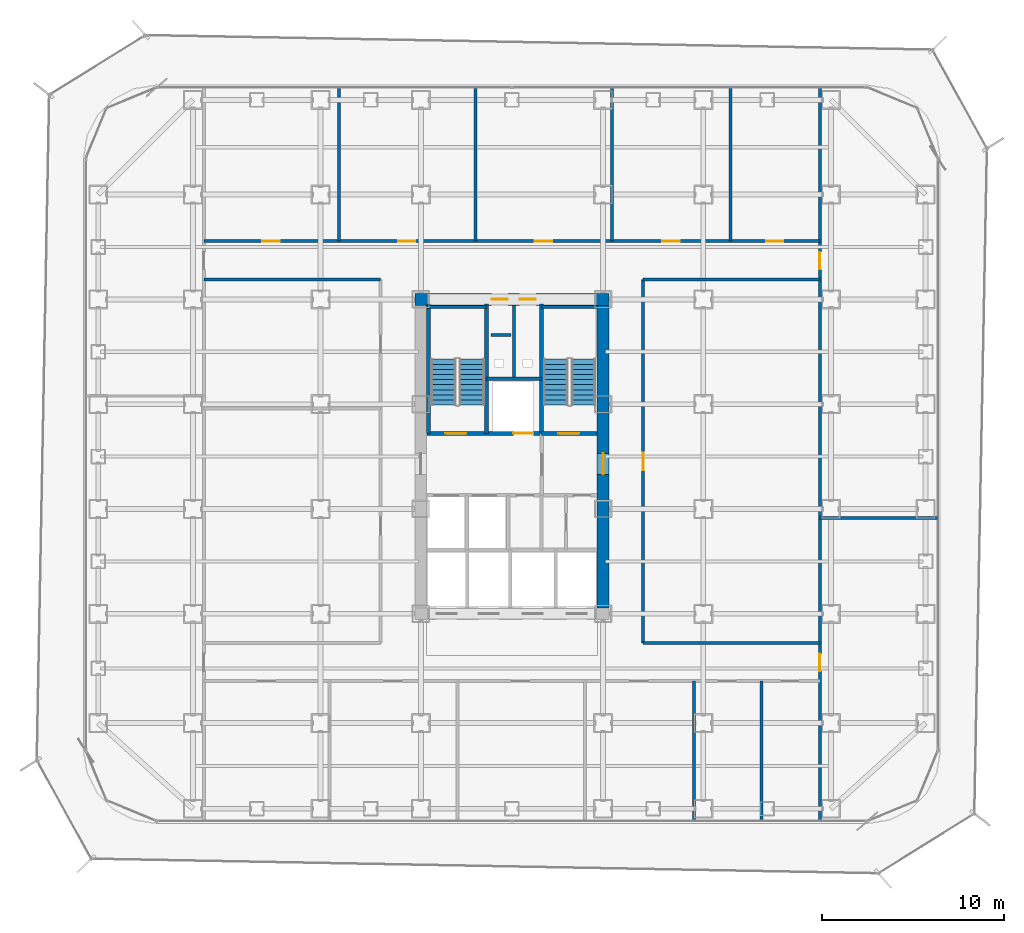
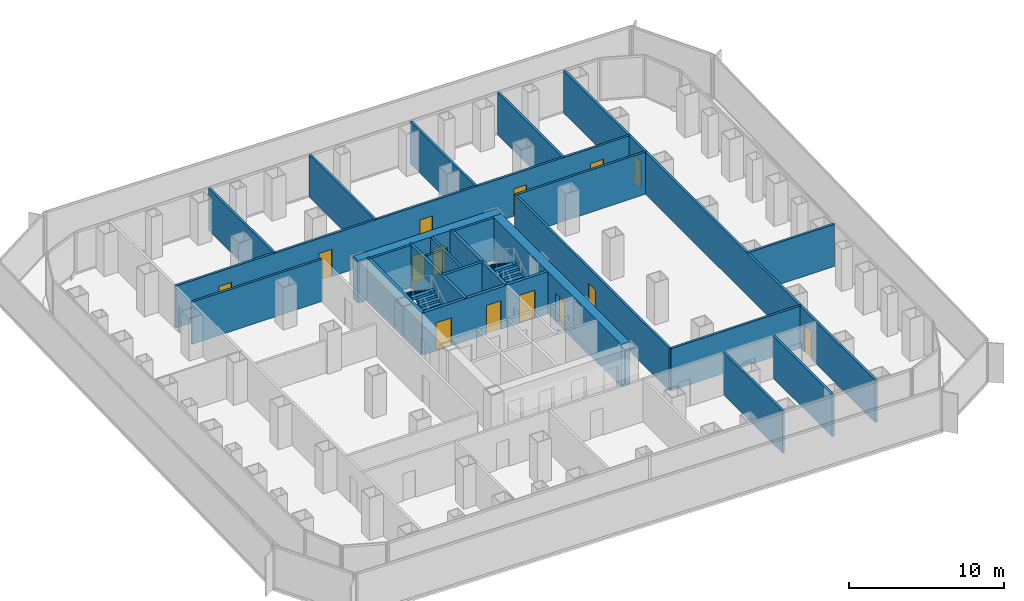
# One storey, part 18 of 22: 25 walls, 14 doors, 4 stair flights, 14 openings, 2 elements without a shape of their own.
"""IFC4 building model written with IfcOpenShell, lengths in metres."""

from ifc_helpers import new_model, si_unit, direction, frame, frame_2d, origin, place, context, subcontext, project, spatial, polyline, rectangle, outline, extrude, material, layer, layer_set, type_object, element, fill, aggregate, save


model = new_model("IFC4")

# Units and contexts
model_context = context("Model", 3, precision=1e-05, world=origin(), true_north=direction((0.0, 1.0)))
body_context = subcontext(model_context, "Body", "Model", "MODEL_VIEW")
ifc_project = project(units=[si_unit("LENGTHUNIT", "METRE"), si_unit("AREAUNIT", "SQUARE_METRE"), si_unit("VOLUMEUNIT", "CUBIC_METRE"), si_unit("PLANEANGLEUNIT", "RADIAN"), si_unit("MASSUNIT", "GRAM", prefix="KILO")], contexts=[model_context])

# Site, building, storey
site_placement = place(None, origin())
site = spatial("IfcSite", under=ifc_project, at=site_placement, CompositionType="ELEMENT")
building_placement = place(site_placement, origin())
building = spatial("IfcBuilding", under=site, at=building_placement, Name="Kolveth Station Tower", CompositionType="ELEMENT")
storey_placement = place(building_placement, frame((0.0, 0.0, 81.0)))
storey = spatial("IfcBuildingStorey", under=building, at=storey_placement, Name="L21", CompositionType="ELEMENT", Elevation=81.0)

# Wall, openings, doors
ifc_material_1 = material(Name="Concrete C60/75", Category="concrete")
ifc_layer_1 = layer(ifc_material_1, 0.64990234375)
ifc_layer_set_1 = layer_set([ifc_layer_1], Name="Concrete C60/75")
wall_type_1 = type_object("IfcWallType", Name="Wall_CW-650", PredefinedType="SHEAR", material=ifc_layer_set_1)
wall_1_placement = place(storey_placement, frame((18.175048828125, 28.75, 0.0), z_axis=(0.0, 0.0, 1.0), x_axis=(1.0, 0.0, 0.0)))
wall_1 = element("IfcWall", 1, at=wall_1_placement, inside=storey, type_object=wall_type_1, Name="L21 Core RC Shear Wall N", PredefinedType="SHEAR", context=body_context, shape_type="SweptSolid", body=[
    extrude(rectangle(XDim=10.64990234375, YDim=0.64990234375, at=frame_2d((5.324951171875, 0.0))), origin(), (0.0, 0.0, 1.0), 3.320068359375),
])
opening_1_placement = place(wall_1_placement, frame((4.205078125, 0.0, 0.0)))
opening_1 = element("IfcOpeningElement", 2, at=opening_1_placement, cuts=wall_1, Name="Opening RD1", PredefinedType="OPENING", context=body_context, shape_type="SweptSolid", body=[
    extrude(rectangle(XDim=0.89990234375, YDim=2.050048828125, at=frame_2d((0.449951171875, 1.02490234375))), frame((0.0, 0.3349609375, 0.0), z_axis=(0.0, -1.0, 0.0), x_axis=(1.0, 0.0, 0.0)), (0.0, 0.0, 1.0), 0.669921875),
])
opening_2_placement = place(wall_1_placement, frame((5.7451171875, 0.0, 0.0)))
opening_2 = element("IfcOpeningElement", 3, at=opening_2_placement, cuts=wall_1, Name="Opening RD1", PredefinedType="OPENING", context=body_context, shape_type="SweptSolid", body=[
    extrude(rectangle(XDim=0.89990234375, YDim=2.050048828125, at=frame_2d((0.449951171875, 1.02490234375))), frame((0.0, 0.3349609375, 0.0), z_axis=(0.0, -1.0, 0.0), x_axis=(1.0, 0.0, 0.0)), (0.0, 0.0, 1.0), 0.669921875),
])
ifc_material_2 = material(Name="Fire-rated Steel S355 riser access leaf", Category="steel")
door_type_1 = type_object("IfcDoorType", Name="Door_RD1", OperationType="NOTDEFINED", PredefinedType="DOOR", material=ifc_material_2)
door_1_placement = place(opening_1_placement, origin())
door_1 = element("IfcDoor", 4, at=door_1_placement, inside=storey, type_object=door_type_1, Name="L21 Electrical Riser Access Door", OperationType="SINGLE_SWING_RIGHT", OverallHeight=2.050048828125, OverallWidth=0.89990234375, PredefinedType="DOOR", context=body_context, shape_type="SweptSolid", body=[
    extrude(rectangle(XDim=0.89990234375, YDim=2.050048828125, at=frame_2d((0.449951171875, 1.02490234375))), frame((0.0, 0.02490234375, 0.0), z_axis=(0.0, -1.0, 0.0), x_axis=(1.0, 0.0, 0.0)), (0.0, 0.0, 1.0), 0.050048828125),
])
fill(opening_1, door_1)
door_2_placement = place(opening_2_placement, origin())
door_2 = element("IfcDoor", 5, at=door_2_placement, inside=storey, type_object=door_type_1, Name="L21 Smoke Duct Access Door", OperationType="SINGLE_SWING_LEFT", OverallHeight=2.050048828125, OverallWidth=0.89990234375, PredefinedType="DOOR", context=body_context, shape_type="SweptSolid", body=[
    extrude(rectangle(XDim=0.89990234375, YDim=2.050048828125, at=frame_2d((0.449951171875, 1.02490234375))), frame((0.0, 0.02490234375, 0.0), z_axis=(0.0, -1.0, 0.0), x_axis=(1.0, 0.0, 0.0)), (0.0, 0.0, 1.0), 0.050048828125),
])
fill(opening_2, door_2)

# Wall, opening, door
wall_2_placement = place(storey_placement, frame((28.5, 11.824951171875, 0.0), z_axis=(0.0, 0.0, 1.0), x_axis=(0.0, 1.0, 0.0)))
wall_2 = element("IfcWall", 6, at=wall_2_placement, inside=storey, type_object=wall_type_1, Name="L21 Core RC Shear Wall E", PredefinedType="SHEAR", context=body_context, shape_type="SweptSolid", body=[
    extrude(rectangle(XDim=16.60009765625, YDim=0.64990234375, at=frame_2d((8.300048828125, 0.0))), origin(), (0.0, 0.0, 1.0), 3.320068359375),
])
opening_3_placement = place(wall_2_placement, frame((7.324951171875, 0.0, 0.0)))
opening_3 = element("IfcOpeningElement", 7, at=opening_3_placement, cuts=wall_2, Name="Opening FD1", PredefinedType="OPENING", context=body_context, shape_type="SweptSolid", body=[
    extrude(rectangle(XDim=1.14990234375, YDim=2.199951171875, at=frame_2d((0.574951171875, 1.10009765625))), frame((0.0, 0.3349609375, 0.0), z_axis=(0.0, -1.0, 0.0), x_axis=(1.0, 0.0, 0.0)), (0.0, 0.0, 1.0), 0.669921875),
])
ifc_material_3 = material(Name="Fire-rated Steel S355 leaf and frame", Category="steel")
door_type_2 = type_object("IfcDoorType", Name="Door_FD1", OperationType="NOTDEFINED", PredefinedType="DOOR", material=ifc_material_3)
door_3_placement = place(opening_3_placement, origin())
door_3 = element("IfcDoor", 8, at=door_3_placement, inside=storey, type_object=door_type_2, Name="L21 East Corridor to Stair Lobby Door", OperationType="SINGLE_SWING_LEFT", OverallHeight=2.199951171875, OverallWidth=1.14990234375, PredefinedType="DOOR", context=body_context, shape_type="SweptSolid", body=[
    extrude(rectangle(XDim=1.14990234375, YDim=2.199951171875, at=frame_2d((0.574951171875, 1.10009765625))), frame((0.0, 0.02490234375, 0.0), z_axis=(0.0, -1.0, 0.0), x_axis=(1.0, 0.0, 0.0)), (0.0, 0.0, 1.0), 0.050048828125),
])
fill(opening_3, door_3)

# Walls
ifc_material_4 = material(Name="Acoustic double-stud gypsum partition")
ifc_layer_2 = layer(ifc_material_4, 0.1650390625)
ifc_layer_set_2 = layer_set([ifc_layer_2], Name="Acoustic double-stud gypsum partition")
wall_type_2 = type_object("IfcWallType", Name="Wall_IW-165", PredefinedType="PARTITIONING", material=ifc_layer_set_2)
wall_3_placement = place(storey_placement, frame((18.8349609375, 28.3349609375, 0.0), z_axis=(0.0, 0.0, 1.0), x_axis=(1.0, 0.0, 0.0)))
element("IfcWall", 9, at=wall_3_placement, inside=storey, type_object=wall_type_2, Name="L21 Stair Shaft Wall WL-L21-ST1-N", PredefinedType="PARTITIONING", context=body_context, shape_type="SweptSolid", body=[
    extrude(rectangle(XDim=3.275146484375, YDim=0.1650390625, at=frame_2d((1.6376953125, 0.0))), origin(), (0.0, 0.0, 1.0), 3.320068359375),
])
wall_4_placement = place(storey_placement, frame((25.1298828125, 28.3349609375, 0.0), z_axis=(0.0, 0.0, 1.0), x_axis=(1.0, 0.0, 0.0)))
element("IfcWall", 10, at=wall_4_placement, inside=storey, type_object=wall_type_2, Name="L21 Stair Shaft Wall WL-L21-ST2-N", PredefinedType="PARTITIONING", context=body_context, shape_type="SweptSolid", body=[
    extrude(rectangle(XDim=3.03515625, YDim=0.1650390625, at=frame_2d((1.517578125, 0.0))), origin(), (0.0, 0.0, 1.0), 3.320068359375),
])
wall_5_placement = place(storey_placement, frame((23.6201171875, 24.39990234375, 0.0), z_axis=(0.0, 0.0, 1.0), x_axis=(0.0, 1.0, 0.0)))
element("IfcWall", 11, at=wall_5_placement, inside=storey, type_object=wall_type_2, Name="L21 Partition Wall WL-L21-RSR-M", PredefinedType="PARTITIONING", context=body_context, shape_type="SweptSolid", body=[
    extrude(rectangle(XDim=4.01513671875, YDim=0.1650390625, at=frame_2d((2.007568359375, 0.0))), origin(), (0.0, 0.0, 1.0), 3.320068359375),
])

# Wall, openings, doors
wall_6_placement = place(storey_placement, frame((6.60009765625, 31.949951171875, 0.0), z_axis=(0.0, 0.0, 1.0), x_axis=(1.0, 0.0, 0.0)))
wall_6 = element("IfcWall", 12, at=wall_6_placement, inside=storey, type_object=wall_type_2, Name="L21 Partition Wall WL-L21-ON", PredefinedType="PARTITIONING", context=body_context, shape_type="SweptSolid", body=[
    extrude(rectangle(XDim=33.7998046875, YDim=0.1650390625, at=frame_2d((16.89990234375, 0.0))), origin(), (0.0, 0.0, 1.0), 3.320068359375),
])
opening_4_placement = place(wall_6_placement, frame((3.199951171875, 0.0, 0.0)))
opening_4 = element("IfcOpeningElement", 13, at=opening_4_placement, cuts=wall_6, Name="Opening ID1", PredefinedType="OPENING", context=body_context, shape_type="SweptSolid", body=[
    extrude(rectangle(XDim=0.949951171875, YDim=2.14990234375, at=frame_2d((0.47509765625, 1.074951171875))), frame((0.0, 0.092529296875, 0.0), z_axis=(0.0, -1.0, 0.0), x_axis=(1.0, 0.0, 0.0)), (0.0, 0.0, 1.0), 0.18505859375),
])
opening_5_placement = place(wall_6_placement, frame((10.64990234375, 0.0, 0.0)))
opening_5 = element("IfcOpeningElement", 14, at=opening_5_placement, cuts=wall_6, Name="Opening ID1", PredefinedType="OPENING", context=body_context, shape_type="SweptSolid", body=[
    extrude(rectangle(XDim=0.949951171875, YDim=2.14990234375, at=frame_2d((0.47509765625, 1.074951171875))), frame((0.0, 0.092529296875, 0.0), z_axis=(0.0, -1.0, 0.0), x_axis=(1.0, 0.0, 0.0)), (0.0, 0.0, 1.0), 0.18505859375),
])
opening_6_placement = place(wall_6_placement, frame((18.14990234375, 0.0, 0.0)))
opening_6 = element("IfcOpeningElement", 15, at=opening_6_placement, cuts=wall_6, Name="Opening ID1", PredefinedType="OPENING", context=body_context, shape_type="SweptSolid", body=[
    extrude(rectangle(XDim=0.949951171875, YDim=2.14990234375, at=frame_2d((0.47509765625, 1.074951171875))), frame((0.0, 0.092529296875, 0.0), z_axis=(0.0, -1.0, 0.0), x_axis=(1.0, 0.0, 0.0)), (0.0, 0.0, 1.0), 0.18505859375),
])
opening_7_placement = place(wall_6_placement, frame((25.14990234375, 0.0, 0.0)))
opening_7 = element("IfcOpeningElement", 16, at=opening_7_placement, cuts=wall_6, Name="Opening ID1", PredefinedType="OPENING", context=body_context, shape_type="SweptSolid", body=[
    extrude(rectangle(XDim=0.949951171875, YDim=2.14990234375, at=frame_2d((0.47509765625, 1.074951171875))), frame((0.0, 0.092529296875, 0.0), z_axis=(0.0, -1.0, 0.0), x_axis=(1.0, 0.0, 0.0)), (0.0, 0.0, 1.0), 0.18505859375),
])
opening_8_placement = place(wall_6_placement, frame((30.85009765625, 0.0, 0.0)))
opening_8 = element("IfcOpeningElement", 17, at=opening_8_placement, cuts=wall_6, Name="Opening ID1", PredefinedType="OPENING", context=body_context, shape_type="SweptSolid", body=[
    extrude(rectangle(XDim=0.949951171875, YDim=2.14990234375, at=frame_2d((0.47509765625, 1.074951171875))), frame((0.0, 0.092529296875, 0.0), z_axis=(0.0, -1.0, 0.0), x_axis=(1.0, 0.0, 0.0)), (0.0, 0.0, 1.0), 0.18505859375),
])
ifc_material_5 = material(Name="Acoustic hardwood leaf and aluminium frame", Category="wood")
door_type_3 = type_object("IfcDoorType", Name="Door_ID1", OperationType="NOTDEFINED", PredefinedType="DOOR", material=ifc_material_5)
door_4_placement = place(opening_4_placement, origin())
door_4 = element("IfcDoor", 18, at=door_4_placement, inside=storey, type_object=door_type_3, Name="L21 Executive Study 2 Door", OperationType="SINGLE_SWING_LEFT", OverallHeight=2.14990234375, OverallWidth=0.949951171875, PredefinedType="DOOR", context=body_context, shape_type="SweptSolid", body=[
    extrude(rectangle(XDim=0.949951171875, YDim=2.14990234375, at=frame_2d((0.47509765625, 1.074951171875))), frame((0.0, 0.02490234375, 0.0), z_axis=(0.0, -1.0, 0.0), x_axis=(1.0, 0.0, 0.0)), (0.0, 0.0, 1.0), 0.050048828125),
])
fill(opening_4, door_4)
door_5_placement = place(opening_5_placement, origin())
door_5 = element("IfcDoor", 19, at=door_5_placement, inside=storey, type_object=door_type_3, Name="L21 Focus Booth North Door", OperationType="SINGLE_SWING_LEFT", OverallHeight=2.14990234375, OverallWidth=0.949951171875, PredefinedType="DOOR", context=body_context, shape_type="SweptSolid", body=[
    extrude(rectangle(XDim=0.949951171875, YDim=2.14990234375, at=frame_2d((0.47509765625, 1.074951171875))), frame((0.0, 0.02490234375, 0.0), z_axis=(0.0, -1.0, 0.0), x_axis=(1.0, 0.0, 0.0)), (0.0, 0.0, 1.0), 0.050048828125),
])
fill(opening_5, door_5)
door_6_placement = place(opening_6_placement, origin())
door_6 = element("IfcDoor", 20, at=door_6_placement, inside=storey, type_object=door_type_3, Name="L21 Seminar Room North 1 Door", OperationType="SINGLE_SWING_RIGHT", OverallHeight=2.14990234375, OverallWidth=0.949951171875, PredefinedType="DOOR", context=body_context, shape_type="SweptSolid", body=[
    extrude(rectangle(XDim=0.949951171875, YDim=2.14990234375, at=frame_2d((0.47509765625, 1.074951171875))), frame((0.0, 0.02490234375, 0.0), z_axis=(0.0, -1.0, 0.0), x_axis=(1.0, 0.0, 0.0)), (0.0, 0.0, 1.0), 0.050048828125),
])
fill(opening_6, door_6)
door_7_placement = place(opening_7_placement, origin())
door_7 = element("IfcDoor", 21, at=door_7_placement, inside=storey, type_object=door_type_3, Name="L21 Seminar Room North 2 Door", OperationType="SINGLE_SWING_LEFT", OverallHeight=2.14990234375, OverallWidth=0.949951171875, PredefinedType="DOOR", context=body_context, shape_type="SweptSolid", body=[
    extrude(rectangle(XDim=0.949951171875, YDim=2.14990234375, at=frame_2d((0.47509765625, 1.074951171875))), frame((0.0, 0.02490234375, 0.0), z_axis=(0.0, -1.0, 0.0), x_axis=(1.0, 0.0, 0.0)), (0.0, 0.0, 1.0), 0.050048828125),
])
fill(opening_7, door_7)
door_8_placement = place(opening_8_placement, origin())
door_8 = element("IfcDoor", 22, at=door_8_placement, inside=storey, type_object=door_type_3, Name="L21 Office Pantry Door", OperationType="SINGLE_SWING_RIGHT", OverallHeight=2.14990234375, OverallWidth=0.949951171875, PredefinedType="DOOR", context=body_context, shape_type="SweptSolid", body=[
    extrude(rectangle(XDim=0.949951171875, YDim=2.14990234375, at=frame_2d((0.47509765625, 1.074951171875))), frame((0.0, 0.02490234375, 0.0), z_axis=(0.0, -1.0, 0.0), x_axis=(1.0, 0.0, 0.0)), (0.0, 0.0, 1.0), 0.050048828125),
])
fill(opening_8, door_8)

# Walls
for number, where, z_axis, x_axis, name in (
    (23, (30.699951171875, 9.89990234375, 0.0), (0.0, 0.0, 1.0), (1.0, 0.0, 0.0), "L21 Partition Wall WL-L21-OSET"),
    (24, (6.60009765625, 29.85009765625, 0.0), (0.0, 0.0, 1.0), (1.0, 0.0, 0.0), "L21 Partition Wall WL-L21-ONWB"),
    (25, (30.699951171875, 29.85009765625, 0.0), (0.0, 0.0, 1.0), (1.0, 0.0, 0.0), "L21 Partition Wall WL-L21-ONEB"),
):
    element("IfcWall", number, at=place(storey_placement, frame(where, z_axis=z_axis, x_axis=x_axis)), inside=storey, type_object=wall_type_2, Name=name, PredefinedType="PARTITIONING", context=body_context, shape_type="SweptSolid", body=[
        extrude(rectangle(XDim=9.699951171875, YDim=0.1650390625, at=frame_2d((4.85009765625, 0.0))), origin(), (0.0, 0.0, 1.0), 3.320068359375),
    ])

# Wall, opening, door
wall_7_placement = place(storey_placement, frame((30.699951171875, 9.89990234375, 0.0), z_axis=(0.0, 0.0, 1.0), x_axis=(0.0, 1.0, 0.0)))
wall_7 = element("IfcWall", 26, at=wall_7_placement, inside=storey, type_object=wall_type_2, Name="L21 Partition Wall WL-L21-OCE", PredefinedType="PARTITIONING", context=body_context, shape_type="SweptSolid", body=[
    extrude(rectangle(XDim=19.9501953125, YDim=0.1650390625, at=frame_2d((9.97509765625, 0.0))), origin(), (0.0, 0.0, 1.0), 3.320068359375),
])
opening_9_placement = place(wall_7_placement, frame((9.47509765625, 0.0, 0.0)))
opening_9 = element("IfcOpeningElement", 27, at=opening_9_placement, cuts=wall_7, Name="Opening ID1", PredefinedType="OPENING", context=body_context, shape_type="SweptSolid", body=[
    extrude(rectangle(XDim=0.949951171875, YDim=2.14990234375, at=frame_2d((0.47509765625, 1.074951171875))), frame((0.0, 0.092529296875, 0.0), z_axis=(0.0, -1.0, 0.0), x_axis=(1.0, 0.0, 0.0)), (0.0, 0.0, 1.0), 0.18505859375),
])
door_9_placement = place(opening_9_placement, origin())
door_9 = element("IfcDoor", 28, at=door_9_placement, inside=storey, type_object=door_type_3, Name="L21 Internal Meeting Room E1 Door", OperationType="SINGLE_SWING_LEFT", OverallHeight=2.14990234375, OverallWidth=0.949951171875, PredefinedType="DOOR", context=body_context, shape_type="SweptSolid", body=[
    extrude(rectangle(XDim=0.949951171875, YDim=2.14990234375, at=frame_2d((0.47509765625, 1.074951171875))), frame((0.0, 0.02490234375, 0.0), z_axis=(0.0, -1.0, 0.0), x_axis=(1.0, 0.0, 0.0)), (0.0, 0.0, 1.0), 0.050048828125),
])
fill(opening_9, door_9)

# Wall, openings, doors
wall_8_placement = place(storey_placement, frame((40.39990234375, 0.159912109375, 0.0), z_axis=(0.0, 0.0, 1.0), x_axis=(0.0, 1.0, 0.0)))
wall_8 = element("IfcWall", 29, at=wall_8_placement, inside=storey, type_object=wall_type_2, Name="L21 Partition Wall WL-L21-OEEND", PredefinedType="PARTITIONING", context=body_context, shape_type="SweptSolid", body=[
    extrude(rectangle(XDim=40.18017578125, YDim=0.1650390625, at=frame_2d((20.090087890625, 0.0))), origin(), (0.0, 0.0, 1.0), 3.320068359375),
])
opening_10_placement = place(wall_8_placement, frame((8.18994140625, 0.0, 0.0)))
opening_10 = element("IfcOpeningElement", 30, at=opening_10_placement, cuts=wall_8, Name="Opening ID1", PredefinedType="OPENING", context=body_context, shape_type="SweptSolid", body=[
    extrude(rectangle(XDim=0.949951171875, YDim=2.14990234375, at=frame_2d((0.47509765625, 1.074951171875))), frame((0.0, 0.092529296875, 0.0), z_axis=(0.0, -1.0, 0.0), x_axis=(1.0, 0.0, 0.0)), (0.0, 0.0, 1.0), 0.18505859375),
])
opening_11_placement = place(wall_8_placement, frame((30.239990234375, 0.0, 0.0)))
opening_11 = element("IfcOpeningElement", 31, at=opening_11_placement, cuts=wall_8, Name="Opening ID1", PredefinedType="OPENING", context=body_context, shape_type="SweptSolid", body=[
    extrude(rectangle(XDim=0.949951171875, YDim=2.14990234375, at=frame_2d((0.47509765625, 1.074951171875))), frame((0.0, 0.092529296875, 0.0), z_axis=(0.0, -1.0, 0.0), x_axis=(1.0, 0.0, 0.0)), (0.0, 0.0, 1.0), 0.18505859375),
])
door_10_placement = place(opening_10_placement, origin())
door_10 = element("IfcDoor", 32, at=door_10_placement, inside=storey, type_object=door_type_3, Name="L21 East-South Wing Door", OperationType="SINGLE_SWING_LEFT", OverallHeight=2.14990234375, OverallWidth=0.949951171875, PredefinedType="DOOR", context=body_context, shape_type="SweptSolid", body=[
    extrude(rectangle(XDim=0.949951171875, YDim=2.14990234375, at=frame_2d((0.47509765625, 1.074951171875))), frame((0.0, 0.02490234375, 0.0), z_axis=(0.0, -1.0, 0.0), x_axis=(1.0, 0.0, 0.0)), (0.0, 0.0, 1.0), 0.050048828125),
])
fill(opening_10, door_10)
door_11_placement = place(opening_11_placement, origin())
door_11 = element("IfcDoor", 33, at=door_11_placement, inside=storey, type_object=door_type_3, Name="L21 East-North Wing Door", OperationType="SINGLE_SWING_RIGHT", OverallHeight=2.14990234375, OverallWidth=0.949951171875, PredefinedType="DOOR", context=body_context, shape_type="SweptSolid", body=[
    extrude(rectangle(XDim=0.949951171875, YDim=2.14990234375, at=frame_2d((0.47509765625, 1.074951171875))), frame((0.0, 0.02490234375, 0.0), z_axis=(0.0, -1.0, 0.0), x_axis=(1.0, 0.0, 0.0)), (0.0, 0.0, 1.0), 0.050048828125),
])
fill(opening_11, door_11)

# Walls
for number, where, z_axis, x_axis, name in (
    (34, (33.5, 0.159912109375, 0.0), (0.0, 0.0, 1.0), (0.0, 1.0, 0.0), "L21 Partition Wall WL-L21-OS-P4"),
    (35, (37.199951171875, 0.159912109375, 0.0), (0.0, 0.0, 1.0), (0.0, 1.0, 0.0), "L21 Partition Wall WL-L21-OS-P5"),
):
    element("IfcWall", number, at=place(storey_placement, frame(where, z_axis=z_axis, x_axis=x_axis)), inside=storey, type_object=wall_type_2, Name=name, PredefinedType="PARTITIONING", context=body_context, shape_type="SweptSolid", body=[
        extrude(rectangle(XDim=7.64013671875, YDim=0.1650390625, at=frame_2d((3.820068359375, 0.0))), origin(), (0.0, 0.0, 1.0), 3.320068359375),
    ])
for number, where, z_axis, x_axis, name in (
    (36, (14.0, 31.949951171875, 0.0), (0.0, 0.0, 1.0), (0.0, 1.0, 0.0), "L21 Partition Wall WL-L21-ON-P1"),
    (37, (21.5, 31.949951171875, 0.0), (0.0, 0.0, 1.0), (0.0, 1.0, 0.0), "L21 Partition Wall WL-L21-ON-P2"),
    (38, (29.0, 31.949951171875, 0.0), (0.0, 0.0, 1.0), (0.0, 1.0, 0.0), "L21 Partition Wall WL-L21-ON-P3"),
    (39, (35.5, 31.949951171875, 0.0), (0.0, 0.0, 1.0), (0.0, 1.0, 0.0), "L21 Partition Wall WL-L21-ON-P4"),
):
    element("IfcWall", number, at=place(storey_placement, frame(where, z_axis=z_axis, x_axis=x_axis)), inside=storey, type_object=wall_type_2, Name=name, PredefinedType="PARTITIONING", context=body_context, shape_type="SweptSolid", body=[
        extrude(rectangle(XDim=8.39013671875, YDim=0.1650390625, at=frame_2d((4.195068359375, 0.0))), origin(), (0.0, 0.0, 1.0), 3.320068359375),
    ])
wall_9_placement = place(storey_placement, frame((40.39990234375, 16.75, 0.0), z_axis=(0.0, 0.0, 1.0), x_axis=(1.0, 0.0, 0.0)))
element("IfcWall", 40, at=wall_9_placement, inside=storey, type_object=wall_type_2, Name="L21 Partition Wall WL-L21-OEM", PredefinedType="PARTITIONING", context=body_context, shape_type="SweptSolid", body=[
    extrude(rectangle(XDim=6.440185546875, YDim=0.1650390625, at=frame_2d((3.22021484375, 0.0))), origin(), (0.0, 0.0, 1.0), 3.320068359375),
])
wall_10_placement = place(storey_placement, frame((22.35009765625, 26.800048828125, 0.0), z_axis=(0.0, 0.0, 1.0), x_axis=(1.0, 0.0, 0.0)))
element("IfcWall", 41, at=wall_10_placement, inside=storey, type_object=wall_type_2, Name="L21 Acoustic Riser Dry-Lining Wall", PredefinedType="PARTITIONING", context=body_context, shape_type="SweptSolid", body=[
    extrude(rectangle(XDim=1.099853515625, YDim=0.1650390625, at=frame_2d((0.5498046875, 0.0))), origin(), (0.0, 0.0, 1.0), 3.320068359375),
])
ifc_material_6 = material(Name="Acoustic fire-rated gypsum blockwork", Category="masonry")
ifc_layer_3 = layer(ifc_material_6, 0.199951171875)
ifc_layer_set_3 = layer_set([ifc_layer_3], Name="Acoustic fire-rated gypsum blockwork")
wall_type_3 = type_object("IfcWallType", Name="Wall_IW-200", PredefinedType="PARTITIONING", material=ifc_layer_set_3)
wall_11_placement = place(storey_placement, frame((22.110107421875, 24.39990234375, 0.0), z_axis=(0.0, 0.0, 1.0), x_axis=(1.0, 0.0, 0.0)))
element("IfcWall", 42, at=wall_11_placement, inside=storey, type_object=wall_type_3, Name="L21 Partition Wall WL-L21-RSR-S", PredefinedType="PARTITIONING", context=body_context, shape_type="SweptSolid", body=[
    extrude(rectangle(XDim=3.019775390625, YDim=0.199951171875, at=frame_2d((1.509765625, 0.0))), origin(), (0.0, 0.0, 1.0), 3.320068359375),
])
ifc_material_7 = material(Name="Concrete C40/50", Category="concrete")
ifc_layer_4 = layer(ifc_material_7, 0.219970703125)
ifc_layer_set_4 = layer_set([ifc_layer_4], Name="Concrete C40/50")
wall_type_4 = type_object("IfcWallType", Name="Wall_IW-220", PredefinedType="SOLIDWALL", material=ifc_layer_set_4)
for number, where, z_axis, x_axis, name in (
    (43, (18.929931640625, 21.389892578125, 0.0), (0.0, 0.0, 1.0), (0.0, 1.0, 0.0), "L21 Stair Shaft Wall WL-L21-ST1-W"),
    (44, (22.110107421875, 21.389892578125, 0.0), (0.0, 0.0, 1.0), (0.0, 1.0, 0.0), "L21 Stair Shaft Wall WL-L21-ST1-E"),
    (45, (25.1298828125, 21.389892578125, 0.0), (0.0, 0.0, 1.0), (0.0, 1.0, 0.0), "L21 Stair Shaft Wall WL-L21-ST2-W"),
):
    element("IfcWall", number, at=place(storey_placement, frame(where, z_axis=z_axis, x_axis=x_axis)), inside=storey, type_object=wall_type_4, Name=name, PredefinedType="SOLIDWALL", context=body_context, shape_type="SweptSolid", body=[
        extrude(rectangle(XDim=7.110107421875, YDim=0.219970703125, at=frame_2d((3.55517578125, 0.0))), origin(), (0.0, 0.0, 1.0), 3.320068359375),
    ])

# Wall, openings, doors
wall_12_placement = place(storey_placement, frame((18.8349609375, 21.389892578125, 0.0), z_axis=(0.0, 0.0, 1.0), x_axis=(1.0, 0.0, 0.0)))
wall_12 = element("IfcWall", 46, at=wall_12_placement, inside=storey, type_object=wall_type_4, Name="L21 Stair Shaft Wall WL-L21-ST1-S", PredefinedType="SOLIDWALL", context=body_context, shape_type="SweptSolid", body=[
    extrude(rectangle(XDim=6.294921875, YDim=0.219970703125, at=frame_2d((3.1474609375, 0.0))), origin(), (0.0, 0.0, 1.0), 3.320068359375),
])
opening_12_placement = place(wall_12_placement, frame((1.014892578125, 0.0, 0.0)))
opening_12 = element("IfcOpeningElement", 47, at=opening_12_placement, cuts=wall_12, Name="Opening FD1", PredefinedType="OPENING", context=body_context, shape_type="SweptSolid", body=[
    extrude(rectangle(XDim=1.14990234375, YDim=2.199951171875, at=frame_2d((0.574951171875, 1.10009765625))), frame((0.0, 0.119873046875, 0.0), z_axis=(0.0, -1.0, 0.0), x_axis=(1.0, 0.0, 0.0)), (0.0, 0.0, 1.0), 0.239990234375),
])
opening_13_placement = place(wall_12_placement, frame((4.7451171875, 0.0, 0.0)))
opening_13 = element("IfcOpeningElement", 48, at=opening_13_placement, cuts=wall_12, Name="Opening LD1", PredefinedType="OPENING", context=body_context, shape_type="SweptSolid", body=[
    extrude(rectangle(XDim=1.10009765625, YDim=2.25, at=frame_2d((0.550048828125, 1.125))), frame((0.0, 0.119873046875, 0.0), z_axis=(0.0, -1.0, 0.0), x_axis=(1.0, 0.0, 0.0)), (0.0, 0.0, 1.0), 0.239990234375),
])
door_12_placement = place(opening_12_placement, frame((1.14990234375, 0.0, 0.0), z_axis=(0.0, 0.0, 1.0), x_axis=(-1.0, 0.0, 0.0)))
door_12 = element("IfcDoor", 49, at=door_12_placement, inside=storey, type_object=door_type_2, Name="L21 Stair ST1 Fire Door", OperationType="SINGLE_SWING_RIGHT", OverallHeight=2.199951171875, OverallWidth=1.14990234375, PredefinedType="DOOR", context=body_context, shape_type="SweptSolid", body=[
    extrude(rectangle(XDim=1.14990234375, YDim=2.199951171875, at=frame_2d((0.574951171875, 1.10009765625))), frame((0.0, 0.02490234375, 0.0), z_axis=(0.0, -1.0, 0.0), x_axis=(1.0, 0.0, 0.0)), (0.0, 0.0, 1.0), 0.050048828125),
])
fill(opening_12, door_12)
ifc_material_8 = material(Name="Brushed stainless steel sliding landing doors", Category="steel")
door_type_4 = type_object("IfcDoorType", Name="Door_LD1", OperationType="NOTDEFINED", PredefinedType="DOOR", material=ifc_material_8)
door_13_placement = place(opening_13_placement, frame((1.10009765625, 0.0, 0.0), z_axis=(0.0, 0.0, 1.0), x_axis=(-1.0, 0.0, 0.0)))
door_13 = element("IfcDoor", 50, at=door_13_placement, inside=storey, type_object=door_type_4, Name="L21 Service Lift SV1 Landing Door", OperationType="DOUBLE_DOOR_SLIDING", OverallHeight=2.25, OverallWidth=1.10009765625, PredefinedType="DOOR", context=body_context, shape_type="SweptSolid", body=[
    extrude(rectangle(XDim=1.10009765625, YDim=2.25, at=frame_2d((0.550048828125, 1.125))), frame((0.0, 0.02490234375, 0.0), z_axis=(0.0, -1.0, 0.0), x_axis=(1.0, 0.0, 0.0)), (0.0, 0.0, 1.0), 0.050048828125),
])
fill(opening_13, door_13)

# Wall, opening, door
wall_13_placement = place(storey_placement, frame((25.1298828125, 21.389892578125, 0.0), z_axis=(0.0, 0.0, 1.0), x_axis=(1.0, 0.0, 0.0)))
wall_13 = element("IfcWall", 51, at=wall_13_placement, inside=storey, type_object=wall_type_4, Name="L21 Stair Shaft Wall WL-L21-ST2-S", PredefinedType="SOLIDWALL", context=body_context, shape_type="SweptSolid", body=[
    extrude(rectangle(XDim=3.03515625, YDim=0.219970703125, at=frame_2d((1.517578125, 0.0))), origin(), (0.0, 0.0, 1.0), 3.320068359375),
])
opening_14_placement = place(wall_13_placement, frame((0.919921875, 0.0, 0.0)))
opening_14 = element("IfcOpeningElement", 52, at=opening_14_placement, cuts=wall_13, Name="Opening FD1", PredefinedType="OPENING", context=body_context, shape_type="SweptSolid", body=[
    extrude(rectangle(XDim=1.14990234375, YDim=2.199951171875, at=frame_2d((0.574951171875, 1.10009765625))), frame((0.0, 0.119873046875, 0.0), z_axis=(0.0, -1.0, 0.0), x_axis=(1.0, 0.0, 0.0)), (0.0, 0.0, 1.0), 0.239990234375),
])
door_14_placement = place(opening_14_placement, frame((1.14990234375, 0.0, 0.0), z_axis=(0.0, 0.0, 1.0), x_axis=(-1.0, 0.0, 0.0)))
door_14 = element("IfcDoor", 53, at=door_14_placement, inside=storey, type_object=door_type_2, Name="L21 Stair ST2 Fire Door", OperationType="SINGLE_SWING_LEFT", OverallHeight=2.199951171875, OverallWidth=1.14990234375, PredefinedType="DOOR", context=body_context, shape_type="SweptSolid", body=[
    extrude(rectangle(XDim=1.14990234375, YDim=2.199951171875, at=frame_2d((0.574951171875, 1.10009765625))), frame((0.0, 0.02490234375, 0.0), z_axis=(0.0, -1.0, 0.0), x_axis=(1.0, 0.0, 0.0)), (0.0, 0.0, 1.0), 0.050048828125),
])
fill(opening_14, door_14)

# Stair, stair flights
stair_type_1 = type_object("IfcStairType", Name="Stair_ST1", PredefinedType="HALF_TURN_STAIR", material=ifc_material_7)
stair_1_placement = place(storey_placement, origin())
stair_1 = element("IfcStair", 54, at=stair_1_placement, inside=storey, type_object=stair_type_1, Name="L21 Tower Exit Stair ST1", PredefinedType="HALF_TURN_STAIR")
ifc_layer_5 = layer(ifc_material_7, 0.179931640625)
ifc_layer_set_5 = layer_set([ifc_layer_5], Name="Concrete C40/50")
stair_flight_type_1 = type_object("IfcStairFlightType", Name="Flight_ST1", PredefinedType="STRAIGHT", material=ifc_layer_set_5)
stair_flight_1_placement = place(storey_placement, frame((21.300048828125, 22.949951171875, 0.0), z_axis=(0.0, 0.0, 1.0), x_axis=(0.0, 1.0, 0.0)))
stair_flight_1 = element("IfcStairFlight", 55, at=stair_flight_1_placement, type_object=stair_flight_type_1, Name="ST1 flight 1", NumberOfRisers=10, NumberOfTreads=9, PredefinedType="STRAIGHT", RiserHeight=0.18, TreadLength=0.28, context=body_context, shape_type="SweptSolid", body=[
    extrude(outline(polyline([(0.0, 0.0), (0.0, 0.179931640625), (0.280029296875, 0.179931640625), (0.280029296875, 0.360107421875), (0.56005859375, 0.360107421875), (0.56005859375, 0.5400390625), (0.840087890625, 0.5400390625), (0.840087890625, 0.719970703125), (1.1201171875, 0.719970703125), (1.1201171875, 0.89990234375), (1.39990234375, 0.89990234375), (1.39990234375, 1.080078125), (1.679931640625, 1.080078125), (1.679931640625, 1.260009765625), (1.9599609375, 1.260009765625), (1.9599609375, 1.43994140625), (2.239990234375, 1.43994140625), (2.239990234375, 1.6201171875), (2.52001953125, 1.6201171875), (2.52001953125, 1.800048828125), (2.52001953125, 1.44189453125), (0.277099609375, 0.0), (0.0, 0.0)])), frame((0.0, 0.699951171875, 0.0), z_axis=(0.0, -1.0, 0.0), x_axis=(1.0, 0.0, 0.0)), (0.0, 0.0, 1.0), 1.39990234375),
])
stair_flight_2_placement = place(storey_placement, frame((19.739990234375, 25.469970703125, 1.800048828125), z_axis=(0.0, 0.0, 1.0), x_axis=(0.0, -1.0, 0.0)))
stair_flight_2 = element("IfcStairFlight", 56, at=stair_flight_2_placement, type_object=stair_flight_type_1, Name="ST1 flight 2", NumberOfRisers=10, NumberOfTreads=9, PredefinedType="STRAIGHT", RiserHeight=0.18, TreadLength=0.28, context=body_context, shape_type="SweptSolid", body=[
    extrude(outline(polyline([(0.0, 0.0), (0.0, 0.179931640625), (0.280029296875, 0.179931640625), (0.280029296875, 0.360107421875), (0.56005859375, 0.360107421875), (0.56005859375, 0.5400390625), (0.840087890625, 0.5400390625), (0.840087890625, 0.719970703125), (1.1201171875, 0.719970703125), (1.1201171875, 0.89990234375), (1.39990234375, 0.89990234375), (1.39990234375, 1.080078125), (1.679931640625, 1.080078125), (1.679931640625, 1.260009765625), (1.9599609375, 1.260009765625), (1.9599609375, 1.43994140625), (2.239990234375, 1.43994140625), (2.239990234375, 1.6201171875), (2.52001953125, 1.6201171875), (2.52001953125, 1.800048828125), (2.52001953125, 1.44189453125), (0.277099609375, 0.0), (0.0, 0.0)])), frame((0.0, 0.699951171875, 0.0), z_axis=(0.0, -1.0, 0.0), x_axis=(1.0, 0.0, 0.0)), (0.0, 0.0, 1.0), 1.39990234375),
])
aggregate(stair_1, [stair_flight_1, stair_flight_2])

stair_type_2 = type_object("IfcStairType", Name="Stair_ST2", PredefinedType="HALF_TURN_STAIR", material=ifc_material_7)
stair_2_placement = place(storey_placement, origin())
stair_2 = element("IfcStair", 57, at=stair_2_placement, inside=storey, type_object=stair_type_2, Name="L21 Tower Exit Stair ST2", PredefinedType="HALF_TURN_STAIR")
ifc_layer_6 = layer(ifc_material_7, 0.179931640625)
ifc_layer_set_6 = layer_set([ifc_layer_6], Name="Concrete C40/50")
stair_flight_type_2 = type_object("IfcStairFlightType", Name="Flight_ST2", PredefinedType="STRAIGHT", material=ifc_layer_set_6)
stair_flight_3_placement = place(storey_placement, frame((27.425048828125, 22.949951171875, 0.0), z_axis=(0.0, 0.0, 1.0), x_axis=(0.0, 1.0, 0.0)))
stair_flight_3 = element("IfcStairFlight", 58, at=stair_flight_3_placement, type_object=stair_flight_type_2, Name="ST2 flight 1", NumberOfRisers=10, NumberOfTreads=9, PredefinedType="STRAIGHT", RiserHeight=0.18, TreadLength=0.28, context=body_context, shape_type="SweptSolid", body=[
    extrude(outline(polyline([(0.0, 0.0), (0.0, 0.179931640625), (0.280029296875, 0.179931640625), (0.280029296875, 0.360107421875), (0.56005859375, 0.360107421875), (0.56005859375, 0.5400390625), (0.840087890625, 0.5400390625), (0.840087890625, 0.719970703125), (1.1201171875, 0.719970703125), (1.1201171875, 0.89990234375), (1.39990234375, 0.89990234375), (1.39990234375, 1.080078125), (1.679931640625, 1.080078125), (1.679931640625, 1.260009765625), (1.9599609375, 1.260009765625), (1.9599609375, 1.43994140625), (2.239990234375, 1.43994140625), (2.239990234375, 1.6201171875), (2.52001953125, 1.6201171875), (2.52001953125, 1.800048828125), (2.52001953125, 1.44189453125), (0.277099609375, 0.0), (0.0, 0.0)])), frame((0.0, 0.675048828125, 0.0), z_axis=(0.0, -1.0, 0.0), x_axis=(1.0, 0.0, 0.0)), (0.0, 0.0, 1.0), 1.35009765625),
])
stair_flight_4_placement = place(storey_placement, frame((25.9150390625, 25.469970703125, 1.800048828125), z_axis=(0.0, 0.0, 1.0), x_axis=(0.0, -1.0, 0.0)))
stair_flight_4 = element("IfcStairFlight", 59, at=stair_flight_4_placement, type_object=stair_flight_type_2, Name="ST2 flight 2", NumberOfRisers=10, NumberOfTreads=9, PredefinedType="STRAIGHT", RiserHeight=0.18, TreadLength=0.28, context=body_context, shape_type="SweptSolid", body=[
    extrude(outline(polyline([(0.0, 0.0), (0.0, 0.179931640625), (0.280029296875, 0.179931640625), (0.280029296875, 0.360107421875), (0.56005859375, 0.360107421875), (0.56005859375, 0.5400390625), (0.840087890625, 0.5400390625), (0.840087890625, 0.719970703125), (1.1201171875, 0.719970703125), (1.1201171875, 0.89990234375), (1.39990234375, 0.89990234375), (1.39990234375, 1.080078125), (1.679931640625, 1.080078125), (1.679931640625, 1.260009765625), (1.9599609375, 1.260009765625), (1.9599609375, 1.43994140625), (2.239990234375, 1.43994140625), (2.239990234375, 1.6201171875), (2.52001953125, 1.6201171875), (2.52001953125, 1.800048828125), (2.52001953125, 1.44189453125), (0.277099609375, 0.0), (0.0, 0.0)])), frame((0.0, 0.675048828125, 0.0), z_axis=(0.0, -1.0, 0.0), x_axis=(1.0, 0.0, 0.0)), (0.0, 0.0, 1.0), 1.35009765625),
])
aggregate(stair_2, [stair_flight_3, stair_flight_4])

save(model, "model.ifc")
